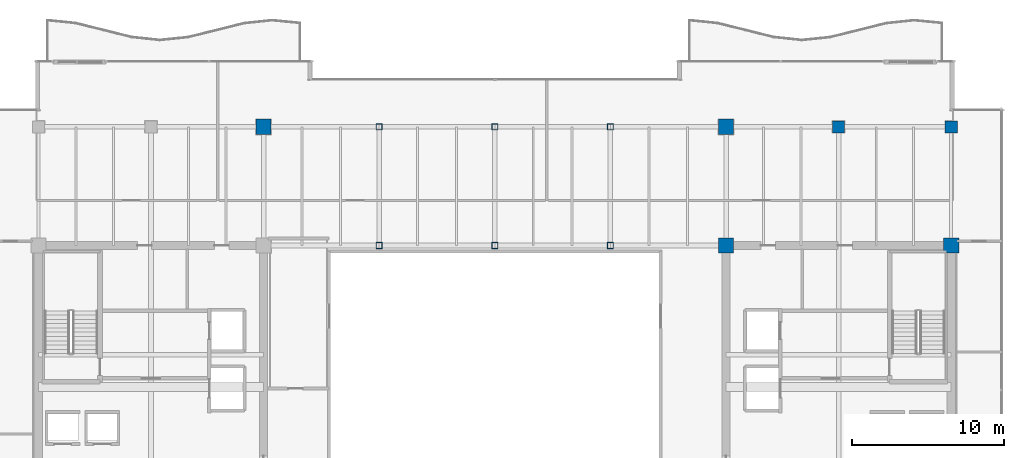
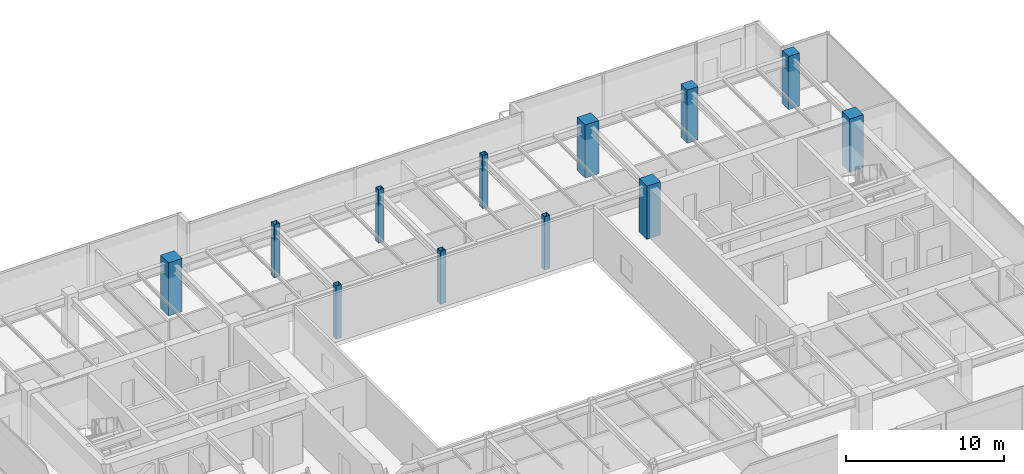
# One storey, part 3 of 35: 12 columns.
"""IFC4 building model written with IfcOpenShell, lengths in metres."""

from ifc_helpers import new_model, si_unit, direction, frame, origin, origin_2d, place, context, subcontext, project, spatial, rectangle, hollow_rectangle, extrude, source, transform, mapped, material, material_profile, profile_set, type_object, type_shapes, element, save


model = new_model("IFC4")

# Units and contexts
model_context = context("Model", 3, precision=1e-05, world=origin(), true_north=direction((0.0, 1.0)))
body_context = subcontext(model_context, "Body", "Model", "MODEL_VIEW")
ifc_project = project(units=[si_unit("LENGTHUNIT", "METRE"), si_unit("AREAUNIT", "SQUARE_METRE"), si_unit("VOLUMEUNIT", "CUBIC_METRE"), si_unit("PLANEANGLEUNIT", "RADIAN"), si_unit("MASSUNIT", "GRAM", prefix="KILO")], contexts=[model_context])

# Site, building, storey
site_placement = place(None, origin())
site = spatial("IfcSite", under=ifc_project, at=site_placement, CompositionType="ELEMENT")
building_placement = place(site_placement, origin())
building = spatial("IfcBuilding", under=site, at=building_placement, Name="Haelvirn Gate Laboratories", CompositionType="ELEMENT")
storey_placement = place(building_placement, frame((0.0, 0.0, 283.39990234375)))
storey = spatial("IfcBuildingStorey", under=building, at=storey_placement, Name="L68", CompositionType="ELEMENT", Elevation=283.39990234375)

# Columns
ifc_material_1 = material(Name="Concrete C60/75", Category="concrete")
ifc_material_profile_1 = material_profile(ifc_material_1, rectangle(XDim=1.0, YDim=1.0, at=origin_2d()), Name="RC-1000x1000")
ifc_profile_set_1 = profile_set([ifc_material_profile_1], Name="Concrete C60/75")
column_type_1 = type_object("IfcColumnType", Name="COL-RC-1000", PredefinedType="COLUMN", material=ifc_profile_set_1)
shared_shape_1 = source(origin(), body_context, "Body", "SweptSolid", [
    extrude(rectangle(XDim=1.0, YDim=1.0, at=origin_2d()), origin(), (0.0, 0.0, 1.0), 4.10009765625),
])
type_shapes(column_type_1, [shared_shape_1])
for number, where, z_axis, x_axis, name in (
    (1, (22.199951171875, 41.60009765625, 0.0), (0.0, 0.0, 1.0), (1.0, 0.0, 0.0), "L68 Column 4G"),
    (2, (52.60009765625, 33.800048828125, 0.0), (0.0, 0.0, 1.0), (1.0, 0.0, 0.0), "L68 Column 8F"),
    (3, (67.39990234375, 33.800048828125, 0.0), (0.0, 0.0, 1.0), (1.0, 0.0, 0.0), "L68 Column 10F"),
    (4, (52.60009765625, 41.60009765625, 0.0), (0.0, 0.0, 1.0), (1.0, 0.0, 0.0), "L68 Column 8G"),
):
    element("IfcColumn", number, at=place(storey_placement, frame(where, z_axis=z_axis, x_axis=x_axis)), inside=storey, type_object=column_type_1, Name=name, PredefinedType="COLUMN", context=body_context, shape_type="MappedRepresentation", body=[
        mapped(shared_shape_1, transform((0.0, 0.0, 0.0), scale=1.0)),
    ])
ifc_material_2 = material(Name="Concrete C50/60", Category="concrete")
ifc_material_profile_2 = material_profile(ifc_material_2, rectangle(XDim=0.800048828125, YDim=0.800048828125, at=origin_2d()), Name="RC-800x800")
ifc_profile_set_2 = profile_set([ifc_material_profile_2], Name="Concrete C50/60")
column_type_2 = type_object("IfcColumnType", Name="COL-RC-800", PredefinedType="COLUMN", material=ifc_profile_set_2)
shared_shape_2 = source(origin(), body_context, "Body", "SweptSolid", [
    extrude(rectangle(XDim=0.800048828125, YDim=0.800048828125, at=origin_2d()), origin(), (0.0, 0.0, 1.0), 4.10009765625),
])
type_shapes(column_type_2, [shared_shape_2])
for number, where, z_axis, x_axis, name in (
    (5, (60.0, 41.60009765625, 0.0), (0.0, 0.0, 1.0), (1.0, 0.0, 0.0), "L68 Column 9G"),
    (6, (67.39990234375, 41.60009765625, 0.0), (0.0, 0.0, 1.0), (1.0, 0.0, 0.0), "L68 Column 10G"),
):
    element("IfcColumn", number, at=place(storey_placement, frame(where, z_axis=z_axis, x_axis=x_axis)), inside=storey, type_object=column_type_2, Name=name, PredefinedType="COLUMN", context=body_context, shape_type="MappedRepresentation", body=[
        mapped(shared_shape_2, transform((0.0, 0.0, 0.0), scale=1.0)),
    ])
ifc_material_3 = material(Name="Steel SM355", Category="steel")
ifc_material_profile_3 = material_profile(ifc_material_3, hollow_rectangle(XDim=0.39990234375, YDim=0.39990234375, WallThickness=0.01904296875, at=origin_2d()), Name="BOX-400x400x19")
ifc_profile_set_3 = profile_set([ifc_material_profile_3], Name="Steel SM355")
column_type_3 = type_object("IfcColumnType", Name="COL-BOX-400", PredefinedType="COLUMN", material=ifc_profile_set_3)
shared_shape_3 = source(origin(), body_context, "Body", "SweptSolid", [
    extrude(hollow_rectangle(XDim=0.39990234375, YDim=0.39990234375, WallThickness=0.01904296875, at=origin_2d()), origin(), (0.0, 0.0, 1.0), 4.10009765625),
])
type_shapes(column_type_3, [shared_shape_3])
for number, where, z_axis, x_axis, name in (
    (7, (29.800048828125, 33.800048828125, 0.0), (0.0, 0.0, 1.0), (1.0, 0.0, 0.0), "L68 Column 5F"),
    (8, (29.800048828125, 41.60009765625, 0.0), (0.0, 0.0, 1.0), (1.0, 0.0, 0.0), "L68 Column 5G"),
    (9, (37.39990234375, 33.800048828125, 0.0), (0.0, 0.0, 1.0), (1.0, 0.0, 0.0), "L68 Column 6F"),
    (10, (37.39990234375, 41.60009765625, 0.0), (0.0, 0.0, 1.0), (1.0, 0.0, 0.0), "L68 Column 6G"),
    (11, (45.0, 33.800048828125, 0.0), (0.0, 0.0, 1.0), (1.0, 0.0, 0.0), "L68 Column 7F"),
    (12, (45.0, 41.60009765625, 0.0), (0.0, 0.0, 1.0), (1.0, 0.0, 0.0), "L68 Column 7G"),
):
    element("IfcColumn", number, at=place(storey_placement, frame(where, z_axis=z_axis, x_axis=x_axis)), inside=storey, type_object=column_type_3, Name=name, PredefinedType="COLUMN", context=body_context, shape_type="MappedRepresentation", body=[
        mapped(shared_shape_3, transform((0.0, 0.0, 0.0), scale=1.0)),
    ])

save(model, "model.ifc")
